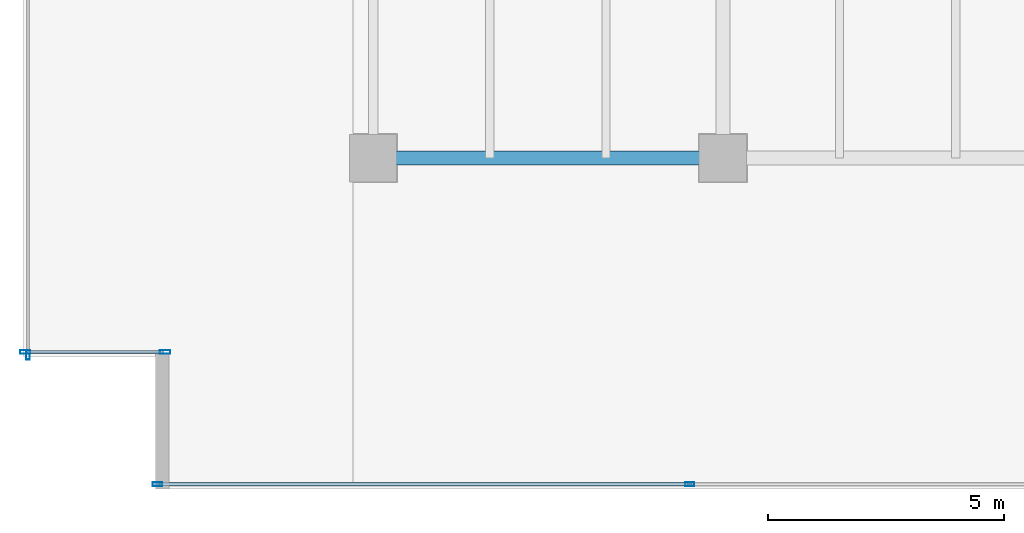
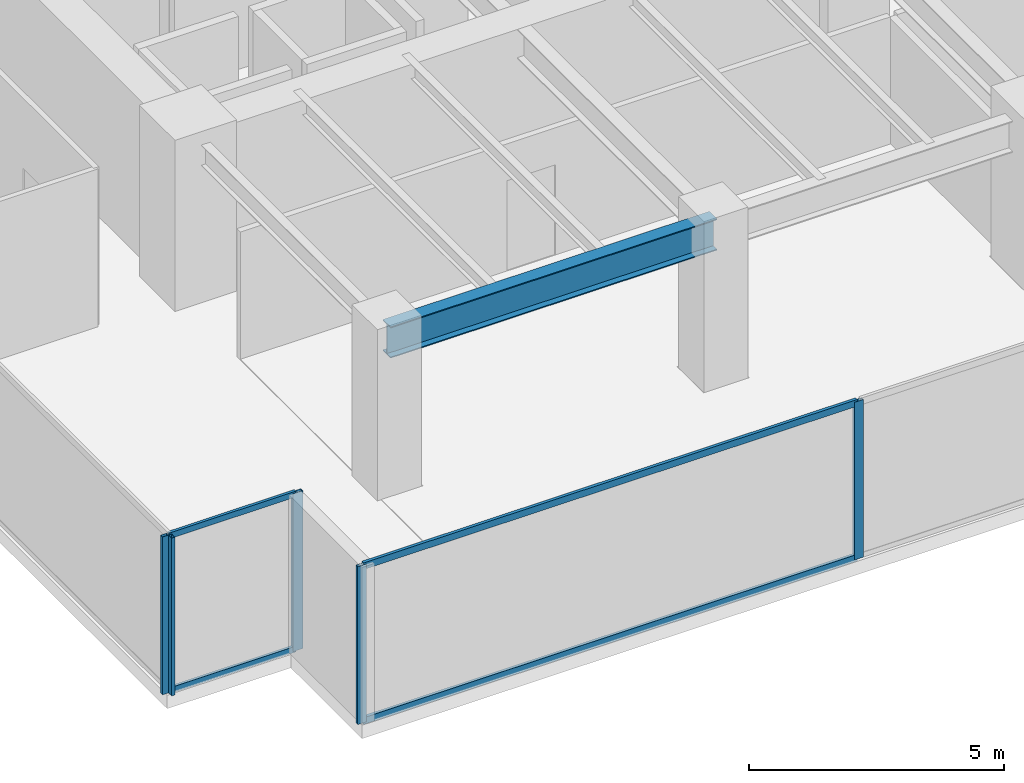
# One storey, part 2 of 36: 9 members, 1 beam, 3 elements without a shape of their own.
"""IFC4 building model written with IfcOpenShell, lengths in metres."""

from ifc_helpers import new_model, si_unit, direction, frame, origin, origin_2d, place, context, subcontext, project, spatial, hollow_rectangle, i_section, extrude, source, transform, mapped, material, layer, layer_set, material_profile, profile_set, type_object, type_shapes, element, aggregate, save


model = new_model("IFC4")

# Units and contexts
model_context = context("Model", 3, precision=1e-05, world=origin(), true_north=direction((0.0, 1.0)))
body_context = subcontext(model_context, "Body", "Model", "MODEL_VIEW")
ifc_project = project(units=[si_unit("LENGTHUNIT", "METRE"), si_unit("AREAUNIT", "SQUARE_METRE"), si_unit("VOLUMEUNIT", "CUBIC_METRE"), si_unit("PLANEANGLEUNIT", "RADIAN"), si_unit("MASSUNIT", "GRAM", prefix="KILO")], contexts=[model_context])

# Site, building, storey
site_placement = place(None, origin())
site = spatial("IfcSite", under=ifc_project, at=site_placement, CompositionType="ELEMENT")
building_placement = place(site_placement, origin())
building = spatial("IfcBuilding", under=site, at=building_placement, Name="Haelvirn Gate Laboratories", CompositionType="ELEMENT")
storey_placement = place(building_placement, frame((0.0, 0.0, 49.800048828125)))
storey = spatial("IfcBuildingStorey", under=building, at=storey_placement, Name="L12", CompositionType="ELEMENT", Elevation=49.800048828125)

# Beam
ifc_material_1 = material(Name="Steel SM355", Category="steel")
ifc_material_profile_1 = material_profile(ifc_material_1, i_section(OverallWidth=0.300048828125, OverallDepth=0.75, WebThickness=0.013916015625, FlangeThickness=0.02392578125, at=origin_2d()), Name="H-750x300x14x24")
ifc_profile_set_1 = profile_set([ifc_material_profile_1], Name="Steel SM355")
beam_type = type_object("IfcBeamType", Name="BM-G-750", PredefinedType="BEAM", material=ifc_profile_set_1)
shared_shape_1 = source(origin(), body_context, "Body", "SweptSolid", [
    extrude(i_section(OverallWidth=0.300048828125, OverallDepth=0.75, WebThickness=0.013916015625, FlangeThickness=0.02392578125, at=origin_2d()), origin(), (0.0, 0.0, 1.0), 7.400146484375),
])
type_shapes(beam_type, [shared_shape_1])
beam_placement = place(storey_placement, frame((7.39990234375, 7.0, 3.405029296875), z_axis=(1.0, 0.0, 0.0), x_axis=(0.0, 1.0, 0.0)))
element("IfcBeam", 1, at=beam_placement, inside=storey, type_object=beam_type, Name="L12 Primary Girder Y7.0 (7.4-14.8)", PredefinedType="BEAM", context=body_context, shape_type="MappedRepresentation", body=[
    mapped(shared_shape_1, transform((0.0, 0.0, 0.0), scale=1.0)),
])

# Curtain wall, members
ifc_material_2 = material(Name="Anodised bronze unitised aluminium & triple low-E glass", Category="aluminium")
ifc_layer_1 = layer(ifc_material_2, 0.18408203125, Name="CW-SYS-2")
ifc_layer_set_1 = layer_set([ifc_layer_1], Name="Anodised bronze unitised aluminium & triple low-E glass")
curtain_wall_type_1 = type_object("IfcCurtainWallType", Name="CW-SYS-2", PredefinedType="NOTDEFINED", material=ifc_layer_set_1)
curtain_wall_1_placement = place(storey_placement, origin())
curtain_wall_1 = element("IfcCurtainWall", 2, at=curtain_wall_1_placement, inside=storey, type_object=curtain_wall_type_1, Name="L12 Unitised Curtain Wall CW-L12-P0-E00-1", PredefinedType="NOTDEFINED")
ifc_material_3 = material(Name="Extruded aluminium 6063-T6 (anodised bronze)", Category="aluminium")
ifc_material_profile_2 = material_profile(ifc_material_3, hollow_rectangle(XDim=0.074951171875, YDim=0.199951171875, WallThickness=0.0048828125, at=origin_2d()), Name="CWM-200x75x5")
ifc_profile_set_2 = profile_set([ifc_material_profile_2], Name="Extruded aluminium 6063-T6 (anodised bronze)")
member_type_1 = type_object("IfcMemberType", Name="CWM-T200", PredefinedType="MULLION", material=ifc_profile_set_2)
shared_shape_2 = source(origin(), body_context, "Body", "SweptSolid", [
    extrude(hollow_rectangle(XDim=0.074951171875, YDim=0.199951171875, WallThickness=0.0048828125, at=origin_2d()), origin(), (0.0, 0.0, 1.0), 3.780029296875),
])
type_shapes(member_type_1, [shared_shape_2])
member_1_placement = place(storey_placement, frame((2.83740234375, 0.10009765625, 0.0), z_axis=(0.0, 0.0, 1.0), x_axis=(0.0, 1.0, 0.0)))
member_1 = element("IfcMember", 3, at=member_1_placement, type_object=member_type_1, Name="CW2 mullion 1", PredefinedType="MULLION", context=body_context, shape_type="MappedRepresentation", body=[
    mapped(shared_shape_2, transform((0.0, 0.0, 0.0), scale=1.0)),
])
member_2_placement = place(storey_placement, frame((14.10009765625, 0.10009765625, 0.0), z_axis=(0.0, 0.0, 1.0), x_axis=(0.0, 1.0, 0.0)))
member_2 = element("IfcMember", 4, at=member_2_placement, type_object=member_type_1, Name="CW2 mullion 2", PredefinedType="MULLION", context=body_context, shape_type="MappedRepresentation", body=[
    mapped(shared_shape_2, transform((0.0, 0.0, 0.0), scale=1.0)),
])

# Curtain wall, member
curtain_wall_2_placement = place(storey_placement, origin())
curtain_wall_2 = element("IfcCurtainWall", 5, at=curtain_wall_2_placement, inside=storey, type_object=curtain_wall_type_1, Name="L12 Unitised Curtain Wall CW-L12-P0-E17", PredefinedType="NOTDEFINED")
member_3_placement = place(storey_placement, frame((0.10009765625, 2.83740234375, 0.0), z_axis=(0.0, 0.0, 1.0), x_axis=(1.0, 0.0, 0.0)))
member_3 = element("IfcMember", 6, at=member_3_placement, type_object=member_type_1, Name="CW2 mullion 4", PredefinedType="MULLION", context=body_context, shape_type="MappedRepresentation", body=[
    mapped(shared_shape_2, transform((0.0, 0.0, 0.0), scale=1.0)),
])
aggregate(curtain_wall_2, [member_3])

# Member
ifc_material_profile_3 = material_profile(ifc_material_3, hollow_rectangle(XDim=0.070068359375, YDim=0.159912109375, WallThickness=0.0048828125, at=origin_2d()), Name="CWT-160x70x5")
ifc_profile_set_3 = profile_set([ifc_material_profile_3], Name="Extruded aluminium 6063-T6 (anodised bronze)")
member_type_2 = type_object("IfcMemberType", Name="CWT-T160", PredefinedType="USERDEFINED", material=ifc_profile_set_3)
shared_shape_3 = source(origin(), body_context, "Body", "SweptSolid", [
    extrude(hollow_rectangle(XDim=0.070068359375, YDim=0.159912109375, WallThickness=0.0048828125, at=origin_2d()), origin(), (0.0, 0.0, 1.0), 11.1875),
])
type_shapes(member_type_2, [shared_shape_3])
member_4_placement = place(storey_placement, frame((2.875, 0.10009765625, 0.034912109375), z_axis=(1.0, 0.0, 0.0), x_axis=(0.0, 1.0, 0.0)))
member_4 = element("IfcMember", 7, at=member_4_placement, type_object=member_type_2, Name="CW2 transom 1.1", ObjectType="TRANSOM", PredefinedType="USERDEFINED", context=body_context, shape_type="MappedRepresentation", body=[
    mapped(shared_shape_3, transform((0.0, 0.0, 0.0), scale=1.0)),
])

member_5_placement = place(storey_placement, frame((2.875, 0.10009765625, 3.744873046875), z_axis=(1.0, 0.0, 0.0), x_axis=(0.0, 1.0, 0.0)))
member_5 = element("IfcMember", 8, at=member_5_placement, type_object=member_type_2, Name="CW2 transom 1.2", ObjectType="TRANSOM", PredefinedType="USERDEFINED", context=body_context, shape_type="MappedRepresentation", body=[
    mapped(shared_shape_3, transform((0.0, 0.0, 0.0), scale=1.0)),
])

aggregate(curtain_wall_1, [member_1, member_2, member_4, member_5])

# Curtain wall, members
ifc_layer_2 = layer(ifc_material_2, 0.181884765625, Name="CW-SYS-5")
ifc_layer_set_2 = layer_set([ifc_layer_2], Name="Anodised bronze unitised aluminium & triple low-E glass")
curtain_wall_type_2 = type_object("IfcCurtainWallType", Name="CW-SYS-5", PredefinedType="NOTDEFINED", material=ifc_layer_set_2)
curtain_wall_3_placement = place(storey_placement, origin())
curtain_wall_3 = element("IfcCurtainWall", 9, at=curtain_wall_3_placement, inside=storey, type_object=curtain_wall_type_2, Name="L12 Unitised Curtain Wall CW-L12-P0-E18-1", PredefinedType="NOTDEFINED")
ifc_material_profile_4 = material_profile(ifc_material_3, hollow_rectangle(XDim=0.080078125, YDim=0.219970703125, WallThickness=0.006103515625, at=origin_2d()), Name="CWM-220x80x6")
ifc_profile_set_4 = profile_set([ifc_material_profile_4], Name="Extruded aluminium 6063-T6 (anodised bronze)")
member_type_3 = type_object("IfcMemberType", Name="CWM-T220", PredefinedType="MULLION", material=ifc_profile_set_4)
shared_shape_4 = source(origin(), body_context, "Body", "SweptSolid", [
    extrude(hollow_rectangle(XDim=0.080078125, YDim=0.219970703125, WallThickness=0.006103515625, at=origin_2d()), origin(), (0.0, 0.0, 1.0), 3.780029296875),
])
type_shapes(member_type_3, [shared_shape_4])
member_6_placement = place(storey_placement, frame((0.0400390625, 2.89990234375, 0.0), z_axis=(0.0, 0.0, 1.0), x_axis=(0.0, 1.0, 0.0)))
member_6 = element("IfcMember", 10, at=member_6_placement, type_object=member_type_3, Name="CW5 mullion 1", PredefinedType="MULLION", context=body_context, shape_type="MappedRepresentation", body=[
    mapped(shared_shape_4, transform((0.0, 0.0, 0.0), scale=1.0)),
])
member_7_placement = place(storey_placement, frame((3.0, 2.89990234375, 0.0), z_axis=(0.0, 0.0, 1.0), x_axis=(0.0, 1.0, 0.0)))
member_7 = element("IfcMember", 11, at=member_7_placement, type_object=member_type_3, Name="CW5 mullion 2", PredefinedType="MULLION", context=body_context, shape_type="MappedRepresentation", body=[
    mapped(shared_shape_4, transform((0.0, 0.0, 0.0), scale=1.0)),
])
ifc_material_profile_5 = material_profile(ifc_material_3, hollow_rectangle(XDim=0.06494140625, YDim=0.139892578125, WallThickness=0.00390625, at=origin_2d()), Name="CWT-140x65x4")
ifc_profile_set_5 = profile_set([ifc_material_profile_5], Name="Extruded aluminium 6063-T6 (anodised bronze)")
member_type_4 = type_object("IfcMemberType", Name="CWT-T140", PredefinedType="USERDEFINED", material=ifc_profile_set_5)
shared_shape_5 = source(origin(), body_context, "Body", "SweptSolid", [
    extrude(hollow_rectangle(XDim=0.06494140625, YDim=0.139892578125, WallThickness=0.00390625, at=origin_2d()), origin(), (0.0, 0.0, 1.0), 2.8798828125),
])
type_shapes(member_type_4, [shared_shape_5])
member_8_placement = place(storey_placement, frame((0.080078125, 2.89990234375, 0.032470703125), z_axis=(1.0, 0.0, 0.0), x_axis=(0.0, 1.0, 0.0)))
member_8 = element("IfcMember", 12, at=member_8_placement, type_object=member_type_4, Name="CW5 transom 1.1", ObjectType="TRANSOM", PredefinedType="USERDEFINED", context=body_context, shape_type="MappedRepresentation", body=[
    mapped(shared_shape_5, transform((0.0, 0.0, 0.0), scale=1.0)),
])
member_9_placement = place(storey_placement, frame((0.080078125, 2.89990234375, 3.74755859375), z_axis=(1.0, 0.0, 0.0), x_axis=(0.0, 1.0, 0.0)))
member_9 = element("IfcMember", 13, at=member_9_placement, type_object=member_type_4, Name="CW5 transom 1.2", ObjectType="TRANSOM", PredefinedType="USERDEFINED", context=body_context, shape_type="MappedRepresentation", body=[
    mapped(shared_shape_5, transform((0.0, 0.0, 0.0), scale=1.0)),
])
aggregate(curtain_wall_3, [member_6, member_7, member_8, member_9])

save(model, "model.ifc")
